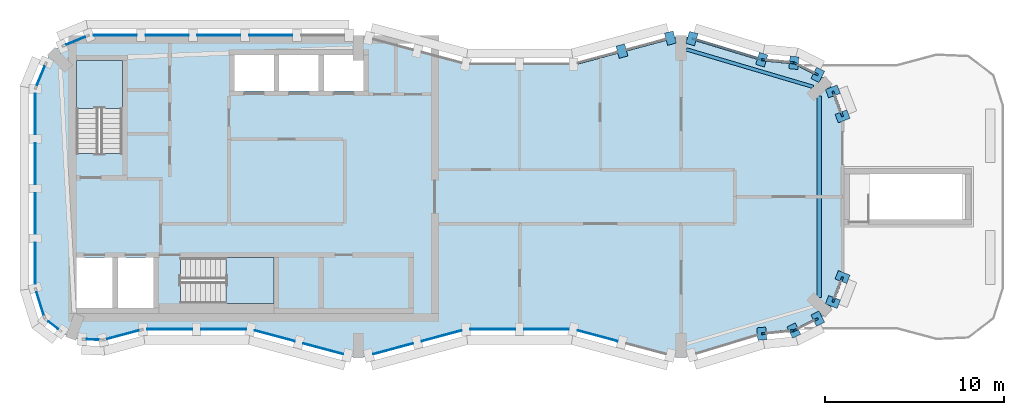
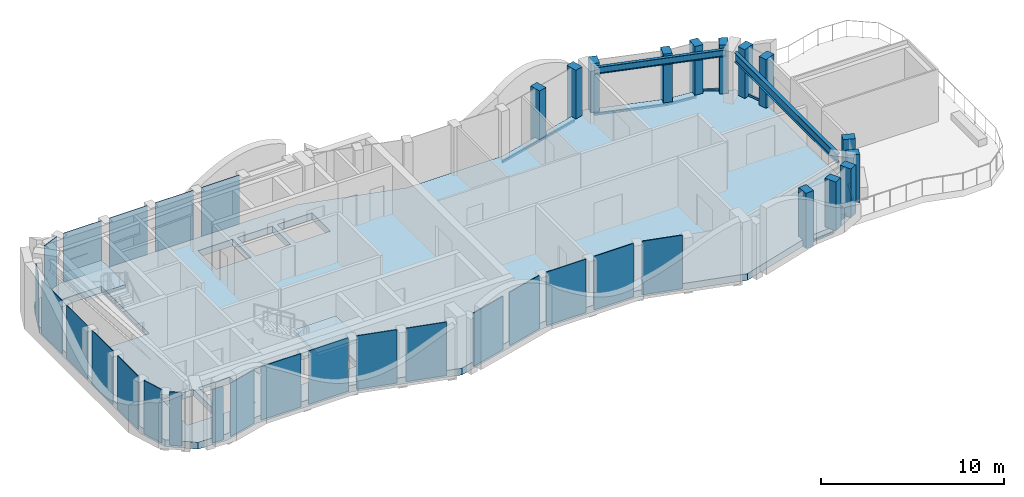
# One storey, part 2 of 9: 23 plates, 21 members, 3 slabs, 2 beams, 23 elements without a shape of their own.
"""IFC4 building model written with IfcOpenShell, lengths in metres."""

from ifc_helpers import new_model, si_unit, direction, frame, origin, origin_2d, place, context, subcontext, project, spatial, polyline, rectangle, i_section, outline, extrude, material, layer, layer_set, material_profile, profile_set, type_object, element, aggregate, save


model = new_model("IFC4")

# Units and contexts
model_context = context("Model", 3, precision=1e-05, world=origin(), true_north=direction((0.0, 1.0)))
body_context = subcontext(model_context, "Body", "Model", "MODEL_VIEW")
ifc_project = project(units=[si_unit("LENGTHUNIT", "METRE"), si_unit("AREAUNIT", "SQUARE_METRE"), si_unit("VOLUMEUNIT", "CUBIC_METRE"), si_unit("PLANEANGLEUNIT", "RADIAN"), si_unit("MASSUNIT", "GRAM", prefix="KILO")], contexts=[model_context])

# Site, building, storey
site_placement = place(None, origin())
site = spatial("IfcSite", under=ifc_project, at=site_placement, CompositionType="ELEMENT")
building_placement = place(site_placement, origin())
building = spatial("IfcBuilding", under=site, at=building_placement, Name="Plateau Cross Towers", CompositionType="ELEMENT")
storey_placement = place(building_placement, frame((0.0, 0.0, 287.89990234375)))
storey = spatial("IfcBuildingStorey", under=building, at=storey_placement, Name="L76 Crown 1", CompositionType="ELEMENT", Elevation=287.89990234375)

# Beams
ifc_material_1 = material(Name="Steel S355", Category="steel")
ifc_material_profile_1 = material_profile(ifc_material_1, i_section(OverallWidth=0.18994140625, OverallDepth=0.453369140625, WebThickness=0.008544921875, FlangeThickness=0.0126953125, FilletRadius=0.01025390625, at=origin_2d()), Name="UB 457x191x67")
ifc_profile_set_1 = profile_set([ifc_material_profile_1], Name="Steel S355")
beam_type_1 = type_object("IfcBeamType", Name="Crown ring beam UB 457x191x67", PredefinedType="BEAM", material=ifc_profile_set_1)
beam_1_placement = place(storey_placement, frame((43.366455078125, 15.122314453125, 3.0234375), z_axis=(-0.958969404993, 0.283509577064, 0.0), x_axis=(-0.283509577064, -0.958969404993, 0.0)))
element("IfcBeam", 1, at=beam_1_placement, inside=storey, type_object=beam_type_1, Name="CRB-L76 Crown 1-04", PredefinedType="BEAM", context=body_context, shape_type="SweptSolid", body=[
    extrude(i_section(OverallWidth=0.18994140625, OverallDepth=0.453369140625, WebThickness=0.008544921875, FlangeThickness=0.0126953125, FilletRadius=0.01025390625, at=origin_2d()), origin(), (0.0, 0.0, 1.0), 7.36865234375),
])
ifc_material_profile_2 = material_profile(ifc_material_1, i_section(OverallWidth=0.228271484375, OverallDepth=0.607666015625, WebThickness=0.010986328125, FlangeThickness=0.017333984375, FilletRadius=0.0126953125, at=origin_2d()), Name="UB 610x229x113")
ifc_profile_set_2 = profile_set([ifc_material_profile_2], Name="Steel S355")
beam_type_2 = type_object("IfcBeamType", Name="Crown ring beam UB 610x229x113", PredefinedType="BEAM", material=ifc_profile_set_2)
beam_2_placement = place(storey_placement, frame((43.703125, 3.38232421875, 2.9462890625), z_axis=(0.0, 1.0, 0.0), x_axis=(-1.0, 0.0, 0.0)))
element("IfcBeam", 2, at=beam_2_placement, inside=storey, type_object=beam_type_2, Name="CRB-L76 Crown 1-03", PredefinedType="BEAM", context=body_context, shape_type="SweptSolid", body=[
    extrude(i_section(OverallWidth=0.228271484375, OverallDepth=0.607666015625, WebThickness=0.010986328125, FlangeThickness=0.017333984375, FilletRadius=0.0126953125, at=origin_2d()), origin(), (0.0, 0.0, 1.0), 11.2353515625),
])

# Curtain wall, member
ifc_material_2 = material(Name="Dark low-iron glass", Category="glass")
ifc_layer_1 = layer(ifc_material_2, 0.800048828125)
ifc_layer_set_1 = layer_set([ifc_layer_1], Name="Dark low-iron glass")
curtain_wall_type = type_object("IfcCurtainWallType", Name="Curtain wall sky lounge CW-D", PredefinedType="NOTDEFINED", material=ifc_layer_set_1)
curtain_wall_1_placement = place(storey_placement, origin())
curtain_wall_1 = element("IfcCurtainWall", 3, at=curtain_wall_1_placement, inside=storey, type_object=curtain_wall_type, Name="ENV/A/L76 Crown 1/A405_14", PredefinedType="NOTDEFINED")
ifc_material_3 = material(Name="Black anodised aluminium", Category="aluminium")
ifc_material_profile_3 = material_profile(ifc_material_3, rectangle(XDim=0.5, YDim=0.699951171875, at=origin_2d()), Name="MULLION 500x700")
ifc_profile_set_3 = profile_set([ifc_material_profile_3], Name="Black anodised aluminium")
member_type_1 = type_object("IfcMemberType", Name="Mullion 500x700 sky lounge", PredefinedType="MULLION", material=ifc_profile_set_3)
member_1_placement = place(storey_placement, frame((40.5, 1.36328125, -0.449951171875), z_axis=(0.0, 0.0, 1.0), x_axis=(0.995322680406, 0.096606220658, 0.0)))
member_1 = element("IfcMember", 4, at=member_1_placement, type_object=member_type_1, Name="CW-D mullion 1", PredefinedType="MULLION", context=body_context, shape_type="SweptSolid", body=[
    extrude(rectangle(XDim=0.5, YDim=0.699951171875, at=origin_2d()), origin(), (0.0, 0.0, 1.0), 3.699951171875),
])

# Curtain wall, members
curtain_wall_2_placement = place(storey_placement, origin())
curtain_wall_2 = element("IfcCurtainWall", 5, at=curtain_wall_2_placement, inside=storey, type_object=curtain_wall_type, Name="ENV/A/L76 Crown 1/A423_15", PredefinedType="NOTDEFINED")
member_2_placement = place(storey_placement, frame((42.289794921875, 1.536865234375, 0.0), z_axis=(0.0, 0.0, 1.0), x_axis=(0.893702121293, 0.448660805505, 0.0)))
member_2 = element("IfcMember", 6, at=member_2_placement, type_object=member_type_1, Name="CW-D mullion 1", PredefinedType="MULLION", context=body_context, shape_type="SweptSolid", body=[
    extrude(rectangle(XDim=0.5, YDim=0.699951171875, at=origin_2d()), origin(), (0.0, 0.0, 1.0), 3.25),
])
member_3_placement = place(storey_placement, frame((43.623779296875, 2.20654296875, 0.0), z_axis=(0.0, 0.0, 1.0), x_axis=(0.893702121293, 0.448660805505, 0.0)))
member_3 = element("IfcMember", 7, at=member_3_placement, type_object=member_type_1, Name="CW-D mullion 2", PredefinedType="MULLION", context=body_context, shape_type="SweptSolid", body=[
    extrude(rectangle(XDim=0.5, YDim=0.699951171875, at=origin_2d()), origin(), (0.0, 0.0, 1.0), 3.25),
])

curtain_wall_3_placement = place(storey_placement, origin())
curtain_wall_3 = element("IfcCurtainWall", 8, at=curtain_wall_3_placement, inside=storey, type_object=curtain_wall_type, Name="ENV/A/L76 Crown 1/A445_31", PredefinedType="NOTDEFINED")
member_4_placement = place(storey_placement, frame((44.46240234375, 3.130615234375, 0.0), z_axis=(0.0, 0.0, 1.0), x_axis=(0.360225826244, 0.932865131789, 0.0)))
member_4 = element("IfcMember", 9, at=member_4_placement, type_object=member_type_1, Name="CW-D mullion 1", PredefinedType="MULLION", context=body_context, shape_type="SweptSolid", body=[
    extrude(rectangle(XDim=0.5, YDim=0.699951171875, at=origin_2d()), origin(), (0.0, 0.0, 1.0), 3.25),
])
member_5_placement = place(storey_placement, frame((45.0, 4.52294921875, 0.0), z_axis=(0.0, 0.0, 1.0), x_axis=(0.360225826244, 0.932865131789, 0.0)))
member_5 = element("IfcMember", 10, at=member_5_placement, type_object=member_type_1, Name="CW-D mullion 2", PredefinedType="MULLION", context=body_context, shape_type="SweptSolid", body=[
    extrude(rectangle(XDim=0.5, YDim=0.699951171875, at=origin_2d()), origin(), (0.0, 0.0, 1.0), 3.25),
])

curtain_wall_4_placement = place(storey_placement, origin())
curtain_wall_4 = element("IfcCurtainWall", 11, at=curtain_wall_4_placement, inside=storey, type_object=curtain_wall_type, Name="ENV/A/L76 Crown 1/A450_135", PredefinedType="NOTDEFINED")
member_6_placement = place(storey_placement, frame((45.0, 13.47705078125, 0.0), z_axis=(0.0, 0.0, 1.0), x_axis=(-0.360225826244, 0.932865131789, 0.0)))
member_6 = element("IfcMember", 12, at=member_6_placement, type_object=member_type_1, Name="CW-D mullion 1", PredefinedType="MULLION", context=body_context, shape_type="SweptSolid", body=[
    extrude(rectangle(XDim=0.5, YDim=0.699951171875, at=origin_2d()), origin(), (0.0, 0.0, 1.0), 3.25),
])
member_7_placement = place(storey_placement, frame((44.46240234375, 14.869384765625, 0.0), z_axis=(0.0, 0.0, 1.0), x_axis=(-0.360225826244, 0.932865131789, 0.0)))
member_7 = element("IfcMember", 13, at=member_7_placement, type_object=member_type_1, Name="CW-D mullion 2", PredefinedType="MULLION", context=body_context, shape_type="SweptSolid", body=[
    extrude(rectangle(XDim=0.5, YDim=0.699951171875, at=origin_2d()), origin(), (0.0, 0.0, 1.0), 3.25),
])

# Curtain wall, member
curtain_wall_5_placement = place(storey_placement, origin())
curtain_wall_5 = element("IfcCurtainWall", 14, at=curtain_wall_5_placement, inside=storey, type_object=curtain_wall_type, Name="ENV/A/L76 Crown 1/A436_158", PredefinedType="NOTDEFINED")
member_8_placement = place(storey_placement, frame((43.623779296875, 15.79345703125, 0.0), z_axis=(0.0, 0.0, 1.0), x_axis=(-0.893702121293, 0.448660805505, 0.0)))
member_8 = element("IfcMember", 15, at=member_8_placement, type_object=member_type_1, Name="CW-D mullion 1", PredefinedType="MULLION", context=body_context, shape_type="SweptSolid", body=[
    extrude(rectangle(XDim=0.5, YDim=0.699951171875, at=origin_2d()), origin(), (0.0, 0.0, 1.0), 3.25),
])

curtain_wall_6_placement = place(storey_placement, origin())
curtain_wall_6 = element("IfcCurtainWall", 16, at=curtain_wall_6_placement, inside=storey, type_object=curtain_wall_type, Name="ENV/A/L76 Crown 1/A423_165", PredefinedType="NOTDEFINED")
member_9_placement = place(storey_placement, frame((42.289794921875, 16.463134765625, -0.449951171875), z_axis=(0.0, 0.0, 1.0), x_axis=(-0.995322680406, 0.096606220658, 0.0)))
member_9 = element("IfcMember", 17, at=member_9_placement, type_object=member_type_1, Name="CW-D mullion 1", PredefinedType="MULLION", context=body_context, shape_type="SweptSolid", body=[
    extrude(rectangle(XDim=0.5, YDim=0.699951171875, at=origin_2d()), origin(), (0.0, 0.0, 1.0), 3.699951171875),
])

# Curtain wall, members
curtain_wall_7_placement = place(storey_placement, origin())
curtain_wall_7 = element("IfcCurtainWall", 18, at=curtain_wall_7_placement, inside=storey, type_object=curtain_wall_type, Name="ENV/A/L76 Crown 1/A405_166", PredefinedType="NOTDEFINED")
member_10_placement = place(storey_placement, frame((40.5, 16.63671875, -0.449951171875), z_axis=(0.0, 0.0, 1.0), x_axis=(-0.957048328724, 0.289928433386, 0.0)))
member_10 = element("IfcMember", 19, at=member_10_placement, type_object=member_type_1, Name="CW-D mullion 1", PredefinedType="MULLION", context=body_context, shape_type="SweptSolid", body=[
    extrude(rectangle(XDim=0.5, YDim=0.699951171875, at=origin_2d()), origin(), (0.0, 0.0, 1.0), 3.699951171875),
])
member_11_placement = place(storey_placement, frame((36.60546875, 17.816650390625, -0.449951171875), z_axis=(0.0, 0.0, 1.0), x_axis=(-0.957048328724, 0.289928433386, 0.0)))
member_11 = element("IfcMember", 20, at=member_11_placement, type_object=member_type_1, Name="CW-D mullion 2", PredefinedType="MULLION", context=body_context, shape_type="SweptSolid", body=[
    extrude(rectangle(XDim=0.5, YDim=0.699951171875, at=origin_2d()), origin(), (0.0, 0.0, 1.0), 3.699951171875),
])

curtain_wall_8_placement = place(storey_placement, origin())
curtain_wall_8 = element("IfcCurtainWall", 21, at=curtain_wall_8_placement, inside=storey, type_object=curtain_wall_type, Name="ENV/A/L76 Crown 1/A354_178", PredefinedType="NOTDEFINED")
member_12_placement = place(storey_placement, frame((35.403076171875, 17.840087890625, -0.449951171875), z_axis=(0.0, 0.0, 1.0), x_axis=(-0.965957983404, -0.258699003279, 0.0)))
member_12 = element("IfcMember", 22, at=member_12_placement, type_object=member_type_1, Name="CW-D mullion 1", PredefinedType="MULLION", context=body_context, shape_type="SweptSolid", body=[
    extrude(rectangle(XDim=0.5, YDim=0.699951171875, at=origin_2d()), origin(), (0.0, 0.0, 1.0), 3.699951171875),
])
member_13_placement = place(storey_placement, frame((32.70166015625, 17.11669921875, -0.449951171875), z_axis=(0.0, 0.0, 1.0), x_axis=(-0.965957983404, -0.258699003279, 0.0)))
member_13 = element("IfcMember", 23, at=member_13_placement, type_object=member_type_1, Name="CW-D mullion 2", PredefinedType="MULLION", context=body_context, shape_type="SweptSolid", body=[
    extrude(rectangle(XDim=0.5, YDim=0.699951171875, at=origin_2d()), origin(), (0.0, 0.0, 1.0), 3.699951171875),
])

# Member
ifc_material_profile_4 = material_profile(ifc_material_3, rectangle(XDim=0.10009765625, YDim=0.139892578125, at=origin_2d()), Name="TRANSOM 100x140")
ifc_profile_set_4 = profile_set([ifc_material_profile_4], Name="Black anodised aluminium")
member_type_2 = type_object("IfcMemberType", Name="Transom 100x140 sky lounge", PredefinedType="USERDEFINED", material=ifc_profile_set_4)
member_14_placement = place(storey_placement, frame((40.5, 1.36328125, -0.3798828125), z_axis=(0.995329836219, 0.096532466724, 0.0), x_axis=(-0.096532466724, 0.995329836219, 0.0)))
member_14 = element("IfcMember", 24, at=member_14_placement, type_object=member_type_2, Name="CW-D transom", ObjectType="TRANSOM", PredefinedType="USERDEFINED", context=body_context, shape_type="SweptSolid", body=[
    extrude(rectangle(XDim=0.10009765625, YDim=0.139892578125, at=origin_2d()), origin(), (0.0, 0.0, 1.0), 1.798095703125),
])

aggregate(curtain_wall_1, [member_1, member_14])

member_15_placement = place(storey_placement, frame((42.289794921875, 1.536865234375, 0.070068359375), z_axis=(0.893706357175, 0.448652367813, 0.0), x_axis=(-0.448652367813, 0.893706357175, 0.0)))
member_15 = element("IfcMember", 25, at=member_15_placement, type_object=member_type_2, Name="CW-D transom", ObjectType="TRANSOM", PredefinedType="USERDEFINED", context=body_context, shape_type="SweptSolid", body=[
    extrude(rectangle(XDim=0.10009765625, YDim=0.139892578125, at=origin_2d()), origin(), (0.0, 0.0, 1.0), 1.49267578125),
])

aggregate(curtain_wall_2, [member_2, member_3, member_15])

member_16_placement = place(storey_placement, frame((44.46240234375, 3.130615234375, 0.070068359375), z_axis=(0.360195479998, 0.932876849423, 0.0), x_axis=(-0.932876849423, 0.360195479998, 0.0)))
member_16 = element("IfcMember", 26, at=member_16_placement, type_object=member_type_2, Name="CW-D transom", ObjectType="TRANSOM", PredefinedType="USERDEFINED", context=body_context, shape_type="SweptSolid", body=[
    extrude(rectangle(XDim=0.10009765625, YDim=0.139892578125, at=origin_2d()), origin(), (0.0, 0.0, 1.0), 1.492431640625),
])

aggregate(curtain_wall_3, [member_4, member_5, member_16])

member_17_placement = place(storey_placement, frame((45.0, 13.47705078125, 0.070068359375), z_axis=(-0.360195479998, 0.932876849423, 0.0), x_axis=(-0.932876849423, -0.360195479998, 0.0)))
member_17 = element("IfcMember", 27, at=member_17_placement, type_object=member_type_2, Name="CW-D transom", ObjectType="TRANSOM", PredefinedType="USERDEFINED", context=body_context, shape_type="SweptSolid", body=[
    extrude(rectangle(XDim=0.10009765625, YDim=0.139892578125, at=origin_2d()), origin(), (0.0, 0.0, 1.0), 1.492431640625),
])

aggregate(curtain_wall_4, [member_6, member_7, member_17])

member_18_placement = place(storey_placement, frame((43.623779296875, 15.79345703125, 0.070068359375), z_axis=(-0.893706357175, 0.448652367813, 0.0), x_axis=(-0.448652367813, -0.893706357175, 0.0)))
member_18 = element("IfcMember", 28, at=member_18_placement, type_object=member_type_2, Name="CW-D transom", ObjectType="TRANSOM", PredefinedType="USERDEFINED", context=body_context, shape_type="SweptSolid", body=[
    extrude(rectangle(XDim=0.10009765625, YDim=0.139892578125, at=origin_2d()), origin(), (0.0, 0.0, 1.0), 1.49267578125),
])

aggregate(curtain_wall_5, [member_8, member_18])

member_19_placement = place(storey_placement, frame((42.289794921875, 16.463134765625, -0.3798828125), z_axis=(-0.995329836219, 0.096532466724, 0.0), x_axis=(-0.096532466724, -0.995329836219, 0.0)))
member_19 = element("IfcMember", 29, at=member_19_placement, type_object=member_type_2, Name="CW-D transom", ObjectType="TRANSOM", PredefinedType="USERDEFINED", context=body_context, shape_type="SweptSolid", body=[
    extrude(rectangle(XDim=0.10009765625, YDim=0.139892578125, at=origin_2d()), origin(), (0.0, 0.0, 1.0), 1.798095703125),
])

aggregate(curtain_wall_6, [member_9, member_19])

member_20_placement = place(storey_placement, frame((40.5, 16.63671875, -0.3798828125), z_axis=(-0.957040045132, 0.289955775961, 0.0), x_axis=(-0.289955775961, -0.957040045132, 0.0)))
member_20 = element("IfcMember", 30, at=member_20_placement, type_object=member_type_2, Name="CW-D transom", ObjectType="TRANSOM", PredefinedType="USERDEFINED", context=body_context, shape_type="SweptSolid", body=[
    extrude(rectangle(XDim=0.10009765625, YDim=0.139892578125, at=origin_2d()), origin(), (0.0, 0.0, 1.0), 4.0693359375),
])

aggregate(curtain_wall_7, [member_10, member_11, member_20])

member_21_placement = place(storey_placement, frame((35.403076171875, 17.840087890625, -0.3798828125), z_axis=(-0.965958374924, -0.258697541375, 0.0), x_axis=(0.258697541375, -0.965958374924, 0.0)))
member_21 = element("IfcMember", 31, at=member_21_placement, type_object=member_type_2, Name="CW-D transom", ObjectType="TRANSOM", PredefinedType="USERDEFINED", context=body_context, shape_type="SweptSolid", body=[
    extrude(rectangle(XDim=0.10009765625, YDim=0.139892578125, at=origin_2d()), origin(), (0.0, 0.0, 1.0), 5.593505859375),
])

aggregate(curtain_wall_8, [member_12, member_13, member_21])

# Curtain wall, plate
curtain_wall_9_placement = place(storey_placement, origin())
curtain_wall_9 = element("IfcCurtainWall", 32, at=curtain_wall_9_placement, inside=storey, type_object=curtain_wall_type, Name="ENV/A/L76 Crown 1/A38_10", PredefinedType="NOTDEFINED")
ifc_layer_2 = layer(ifc_material_2, 0.0400390625)
ifc_layer_set_2 = layer_set([ifc_layer_2], Name="Dark low-iron glass")
plate_type = type_object("IfcPlateType", Name="Glass panel 40 sky lounge", PredefinedType="CURTAIN_PANEL", material=ifc_layer_set_2)
plate_1_placement = place(storey_placement, frame((4.887939453125, 1.30908203125, -0.309814453125), z_axis=(0.0, 0.0, 1.0), x_axis=(0.965957962328, 0.258699081978, 0.0)))
plate_1 = element("IfcPlate", 33, at=plate_1_placement, type_object=plate_type, Name="CW-D panel 1", PredefinedType="CURTAIN_PANEL", context=body_context, shape_type="SweptSolid", body=[
    extrude(rectangle(XDim=1.80224609375, YDim=0.0400390625, at=origin_2d()), origin(), (0.0, 0.0, 1.0), 3.56005859375),
])
aggregate(curtain_wall_9, [plate_1])

# Curtain wall, plates
curtain_wall_10_placement = place(storey_placement, origin())
curtain_wall_10 = element("IfcCurtainWall", 34, at=curtain_wall_10_placement, inside=storey, type_object=curtain_wall_type, Name="ENV/A/L76 Crown 1/A60_16", PredefinedType="NOTDEFINED")
plate_2_placement = place(storey_placement, frame((7.5, 1.60693359375, -0.309814453125), z_axis=(0.0, 0.0, 1.0), x_axis=(1.0, 0.0, 0.0)))
plate_2 = element("IfcPlate", 35, at=plate_2_placement, type_object=plate_type, Name="CW-D panel 1", PredefinedType="CURTAIN_PANEL", context=body_context, shape_type="SweptSolid", body=[
    extrude(rectangle(XDim=2.5, YDim=0.0400390625, at=origin_2d()), origin(), (0.0, 0.0, 1.0), 3.56005859375),
])
plate_3_placement = place(storey_placement, frame((10.5, 1.60693359375, -0.309814453125), z_axis=(0.0, 0.0, 1.0), x_axis=(1.0, 0.0, 0.0)))
plate_3 = element("IfcPlate", 36, at=plate_3_placement, type_object=plate_type, Name="CW-D panel 2", PredefinedType="CURTAIN_PANEL", context=body_context, shape_type="SweptSolid", body=[
    extrude(rectangle(XDim=2.5, YDim=0.0400390625, at=origin_2d()), origin(), (0.0, 0.0, 1.0), 3.56005859375),
])
aggregate(curtain_wall_10, [plate_2, plate_3])

curtain_wall_11_placement = place(storey_placement, origin())
curtain_wall_11 = element("IfcCurtainWall", 37, at=curtain_wall_11_placement, inside=storey, type_object=curtain_wall_type, Name="ENV/A/L76 Crown 1/A120_16", PredefinedType="NOTDEFINED")
plate_4_placement = place(storey_placement, frame((13.350830078125, 1.2451171875, -0.309814453125), z_axis=(0.0, 0.0, 1.0), x_axis=(0.965957983404, -0.258699003279, 0.0)))
plate_4 = element("IfcPlate", 38, at=plate_4_placement, type_object=plate_type, Name="CW-D panel 1", PredefinedType="CURTAIN_PANEL", context=body_context, shape_type="SweptSolid", body=[
    extrude(rectangle(XDim=2.296875, YDim=0.0400390625, at=origin_2d()), origin(), (0.0, 0.0, 1.0), 3.56005859375),
])
plate_5_placement = place(storey_placement, frame((16.05224609375, 0.521728515625, -0.309814453125), z_axis=(0.0, 0.0, 1.0), x_axis=(0.965957983404, -0.258699003279, 0.0)))
plate_5 = element("IfcPlate", 39, at=plate_5_placement, type_object=plate_type, Name="CW-D panel 2", PredefinedType="CURTAIN_PANEL", context=body_context, shape_type="SweptSolid", body=[
    extrude(rectangle(XDim=2.296875, YDim=0.0400390625, at=origin_2d()), origin(), (0.0, 0.0, 1.0), 3.56005859375),
])
aggregate(curtain_wall_11, [plate_4, plate_5])

curtain_wall_12_placement = place(storey_placement, origin())
curtain_wall_12 = element("IfcCurtainWall", 40, at=curtain_wall_12_placement, inside=storey, type_object=curtain_wall_type, Name="ENV/A/L76 Crown 1/A186_2", PredefinedType="NOTDEFINED")
plate_6_placement = place(storey_placement, frame((19.94775390625, 0.521728515625, -0.309814453125), z_axis=(0.0, 0.0, 1.0), x_axis=(0.965957983404, 0.258699003279, 0.0)))
plate_6 = element("IfcPlate", 41, at=plate_6_placement, type_object=plate_type, Name="CW-D panel 1", PredefinedType="CURTAIN_PANEL", context=body_context, shape_type="SweptSolid", body=[
    extrude(rectangle(XDim=2.296875, YDim=0.0400390625, at=origin_2d()), origin(), (0.0, 0.0, 1.0), 3.56005859375),
])
plate_7_placement = place(storey_placement, frame((22.649169921875, 1.2451171875, -0.309814453125), z_axis=(0.0, 0.0, 1.0), x_axis=(0.965957983404, 0.258699003279, 0.0)))
plate_7 = element("IfcPlate", 42, at=plate_7_placement, type_object=plate_type, Name="CW-D panel 2", PredefinedType="CURTAIN_PANEL", context=body_context, shape_type="SweptSolid", body=[
    extrude(rectangle(XDim=2.296875, YDim=0.0400390625, at=origin_2d()), origin(), (0.0, 0.0, 1.0), 3.56005859375),
])
aggregate(curtain_wall_12, [plate_6, plate_7])

curtain_wall_13_placement = place(storey_placement, origin())
curtain_wall_13 = element("IfcCurtainWall", 43, at=curtain_wall_13_placement, inside=storey, type_object=curtain_wall_type, Name="ENV/A/L76 Crown 1/A240_16", PredefinedType="NOTDEFINED")
plate_8_placement = place(storey_placement, frame((25.5, 1.60693359375, -0.309814453125), z_axis=(0.0, 0.0, 1.0), x_axis=(1.0, 0.0, 0.0)))
plate_8 = element("IfcPlate", 44, at=plate_8_placement, type_object=plate_type, Name="CW-D panel 1", PredefinedType="CURTAIN_PANEL", context=body_context, shape_type="SweptSolid", body=[
    extrude(rectangle(XDim=2.5, YDim=0.0400390625, at=origin_2d()), origin(), (0.0, 0.0, 1.0), 3.56005859375),
])
plate_9_placement = place(storey_placement, frame((28.5, 1.60693359375, -0.309814453125), z_axis=(0.0, 0.0, 1.0), x_axis=(1.0, 0.0, 0.0)))
plate_9 = element("IfcPlate", 45, at=plate_9_placement, type_object=plate_type, Name="CW-D panel 2", PredefinedType="CURTAIN_PANEL", context=body_context, shape_type="SweptSolid", body=[
    extrude(rectangle(XDim=2.5, YDim=0.0400390625, at=origin_2d()), origin(), (0.0, 0.0, 1.0), 3.56005859375),
])
aggregate(curtain_wall_13, [plate_8, plate_9])

# Curtain wall, plate
curtain_wall_14_placement = place(storey_placement, origin())
curtain_wall_14 = element("IfcCurtainWall", 46, at=curtain_wall_14_placement, inside=storey, type_object=curtain_wall_type, Name="ENV/A/L76 Crown 1/A300_16", PredefinedType="NOTDEFINED")
plate_10_placement = place(storey_placement, frame((31.350830078125, 1.2451171875, -0.309814453125), z_axis=(0.0, 0.0, 1.0), x_axis=(0.965957983404, -0.258699003279, 0.0)))
plate_10 = element("IfcPlate", 47, at=plate_10_placement, type_object=plate_type, Name="CW-D panel 1", PredefinedType="CURTAIN_PANEL", context=body_context, shape_type="SweptSolid", body=[
    extrude(rectangle(XDim=2.296875, YDim=0.0400390625, at=origin_2d()), origin(), (0.0, 0.0, 1.0), 3.56005859375),
])
aggregate(curtain_wall_14, [plate_10])

# Curtain wall, plates
curtain_wall_15_placement = place(storey_placement, origin())
curtain_wall_15 = element("IfcCurtainWall", 48, at=curtain_wall_15_placement, inside=storey, type_object=curtain_wall_type, Name="ENV/A/L76 Crown 1/A175_180", PredefinedType="NOTDEFINED")
plate_11_placement = place(storey_placement, frame((13.139404296875, 18.0, -0.309814453125), z_axis=(0.0, 0.0, 1.0), x_axis=(-1.0, 0.0, 0.0)))
plate_11 = element("IfcPlate", 49, at=plate_11_placement, type_object=plate_type, Name="CW-D panel 2", PredefinedType="CURTAIN_PANEL", context=body_context, shape_type="SweptSolid", body=[
    extrude(rectangle(XDim=2.39697265625, YDim=0.0400390625, at=origin_2d()), origin(), (0.0, 0.0, 1.0), 3.56005859375),
])
plate_12_placement = place(storey_placement, frame((10.242431640625, 18.0, -0.309814453125), z_axis=(0.0, 0.0, 1.0), x_axis=(-1.0, 0.0, 0.0)))
plate_12 = element("IfcPlate", 50, at=plate_12_placement, type_object=plate_type, Name="CW-D panel 3", PredefinedType="CURTAIN_PANEL", context=body_context, shape_type="SweptSolid", body=[
    extrude(rectangle(XDim=2.39697265625, YDim=0.0400390625, at=origin_2d()), origin(), (0.0, 0.0, 1.0), 3.56005859375),
])
plate_13_placement = place(storey_placement, frame((7.345458984375, 18.0, -0.309814453125), z_axis=(0.0, 0.0, 1.0), x_axis=(-1.0, 0.0, 0.0)))
plate_13 = element("IfcPlate", 51, at=plate_13_placement, type_object=plate_type, Name="CW-D panel 4", PredefinedType="CURTAIN_PANEL", context=body_context, shape_type="SweptSolid", body=[
    extrude(rectangle(XDim=2.39697265625, YDim=0.0400390625, at=origin_2d()), origin(), (0.0, 0.0, 1.0), 3.56005859375),
])
plate_14_placement = place(storey_placement, frame((4.448486328125, 18.0, -0.309814453125), z_axis=(0.0, 0.0, 1.0), x_axis=(-1.0, 0.0, 0.0)))
plate_14 = element("IfcPlate", 52, at=plate_14_placement, type_object=plate_type, Name="CW-D panel 5", PredefinedType="CURTAIN_PANEL", context=body_context, shape_type="SweptSolid", body=[
    extrude(rectangle(XDim=2.39697265625, YDim=0.0400390625, at=origin_2d()), origin(), (0.0, 0.0, 1.0), 3.56005859375),
])
aggregate(curtain_wall_15, [plate_11, plate_12, plate_13, plate_14])

# Curtain wall, plate
curtain_wall_16_placement = place(storey_placement, origin())
curtain_wall_16 = element("IfcCurtainWall", 53, at=curtain_wall_16_placement, inside=storey, type_object=curtain_wall_type, Name="ENV/A/L76 Crown 1/A30_180", PredefinedType="NOTDEFINED")
plate_15_placement = place(storey_placement, frame((2.254150390625, 17.69091796875, -0.309814453125), z_axis=(0.0, 0.0, 1.0), x_axis=(-0.923879457699, -0.382683612978, 0.0)))
plate_15 = element("IfcPlate", 54, at=plate_15_placement, type_object=plate_type, Name="CW-D panel 1", PredefinedType="CURTAIN_PANEL", context=body_context, shape_type="SweptSolid", body=[
    extrude(rectangle(XDim=1.11474609375, YDim=0.0400390625, at=origin_2d()), origin(), (0.0, 0.0, 1.0), 3.56005859375),
])
aggregate(curtain_wall_16, [plate_15])

curtain_wall_17_placement = place(storey_placement, origin())
curtain_wall_17 = element("IfcCurtainWall", 55, at=curtain_wall_17_placement, inside=storey, type_object=curtain_wall_type, Name="ENV/A/L76 Crown 1/A6_165", PredefinedType="NOTDEFINED")
plate_16_placement = place(storey_placement, frame((0.30908203125, 15.745849609375, -0.309814453125), z_axis=(0.0, 0.0, 1.0), x_axis=(-0.382683612978, -0.923879457699, 0.0)))
plate_16 = element("IfcPlate", 56, at=plate_16_placement, type_object=plate_type, Name="CW-D panel 1", PredefinedType="CURTAIN_PANEL", context=body_context, shape_type="SweptSolid", body=[
    extrude(rectangle(XDim=1.11474609375, YDim=0.0400390625, at=origin_2d()), origin(), (0.0, 0.0, 1.0), 3.56005859375),
])
aggregate(curtain_wall_17, [plate_16])

# Curtain wall, plates
curtain_wall_18_placement = place(storey_placement, origin())
curtain_wall_18 = element("IfcCurtainWall", 57, at=curtain_wall_18_placement, inside=storey, type_object=curtain_wall_type, Name="ENV/A/L76 Crown 1/A0_150", PredefinedType="NOTDEFINED")
plate_17_placement = place(storey_placement, frame((0.0, 13.613525390625, -0.309814453125), z_axis=(0.0, 0.0, 1.0), x_axis=(0.0, -1.0, 0.0)))
plate_17 = element("IfcPlate", 58, at=plate_17_placement, type_object=plate_type, Name="CW-D panel 1", PredefinedType="CURTAIN_PANEL", context=body_context, shape_type="SweptSolid", body=[
    extrude(rectangle(XDim=2.272705078125, YDim=0.0400390625, at=origin_2d()), origin(), (0.0, 0.0, 1.0), 3.56005859375),
])
plate_18_placement = place(storey_placement, frame((0.0, 10.8408203125, -0.309814453125), z_axis=(0.0, 0.0, 1.0), x_axis=(0.0, -1.0, 0.0)))
plate_18 = element("IfcPlate", 59, at=plate_18_placement, type_object=plate_type, Name="CW-D panel 2", PredefinedType="CURTAIN_PANEL", context=body_context, shape_type="SweptSolid", body=[
    extrude(rectangle(XDim=2.272705078125, YDim=0.0400390625, at=origin_2d()), origin(), (0.0, 0.0, 1.0), 3.56005859375),
])
plate_19_placement = place(storey_placement, frame((0.0, 8.068115234375, -0.309814453125), z_axis=(0.0, 0.0, 1.0), x_axis=(0.0, -1.0, 0.0)))
plate_19 = element("IfcPlate", 60, at=plate_19_placement, type_object=plate_type, Name="CW-D panel 3", PredefinedType="CURTAIN_PANEL", context=body_context, shape_type="SweptSolid", body=[
    extrude(rectangle(XDim=2.272705078125, YDim=0.0400390625, at=origin_2d()), origin(), (0.0, 0.0, 1.0), 3.56005859375),
])
plate_20_placement = place(storey_placement, frame((0.0, 5.29541015625, -0.309814453125), z_axis=(0.0, 0.0, 1.0), x_axis=(0.0, -1.0, 0.0)))
plate_20 = element("IfcPlate", 61, at=plate_20_placement, type_object=plate_type, Name="CW-D panel 4", PredefinedType="CURTAIN_PANEL", context=body_context, shape_type="SweptSolid", body=[
    extrude(rectangle(XDim=2.272705078125, YDim=0.0400390625, at=origin_2d()), origin(), (0.0, 0.0, 1.0), 3.56005859375),
])
aggregate(curtain_wall_18, [plate_17, plate_18, plate_19, plate_20])

# Curtain wall, plate
curtain_wall_19_placement = place(storey_placement, origin())
curtain_wall_19 = element("IfcCurtainWall", 62, at=curtain_wall_19_placement, inside=storey, type_object=curtain_wall_type, Name="ENV/A/L76 Crown 1/A0_39", PredefinedType="NOTDEFINED")
plate_21_placement = place(storey_placement, frame((0.271240234375, 3.048828125, -0.309814453125), z_axis=(0.0, 0.0, 1.0), x_axis=(0.300686174994, -0.95372313811, 0.0)))
plate_21 = element("IfcPlate", 63, at=plate_21_placement, type_object=plate_type, Name="CW-D panel 1", PredefinedType="CURTAIN_PANEL", context=body_context, shape_type="SweptSolid", body=[
    extrude(rectangle(XDim=1.30419921875, YDim=0.0400390625, at=origin_2d()), origin(), (0.0, 0.0, 1.0), 3.56005859375),
])
aggregate(curtain_wall_19, [plate_21])

curtain_wall_20_placement = place(storey_placement, origin())
curtain_wall_20 = element("IfcCurtainWall", 64, at=curtain_wall_20_placement, inside=storey, type_object=curtain_wall_type, Name="ENV/A/L76 Crown 1/A5_22", PredefinedType="NOTDEFINED")
plate_22_placement = place(storey_placement, frame((1.005126953125, 1.83349609375, -0.309814453125), z_axis=(0.0, 0.0, 1.0), x_axis=(0.793315514529, -0.608810721331, 0.0)))
plate_22 = element("IfcPlate", 65, at=plate_22_placement, type_object=plate_type, Name="CW-D panel 1", PredefinedType="CURTAIN_PANEL", context=body_context, shape_type="SweptSolid", body=[
    extrude(rectangle(XDim=0.666259765625, YDim=0.0400390625, at=origin_2d()), origin(), (0.0, 0.0, 1.0), 3.56005859375),
])
aggregate(curtain_wall_20, [plate_22])

curtain_wall_21_placement = place(storey_placement, origin())
curtain_wall_21 = element("IfcCurtainWall", 66, at=curtain_wall_21_placement, inside=storey, type_object=curtain_wall_type, Name="ENV/A/L76 Crown 1/A26_11", PredefinedType="NOTDEFINED")
plate_23_placement = place(storey_placement, frame((3.193603515625, 1.036865234375, -0.309814453125), z_axis=(0.0, 0.0, 1.0), x_axis=(0.999043701491, -0.043722791671, 0.0)))
plate_23 = element("IfcPlate", 67, at=plate_23_placement, type_object=plate_type, Name="CW-D panel 1", PredefinedType="CURTAIN_PANEL", context=body_context, shape_type="SweptSolid", body=[
    extrude(rectangle(XDim=0.666259765625, YDim=0.0400390625, at=origin_2d()), origin(), (0.0, 0.0, 1.0), 3.56005859375),
])
aggregate(curtain_wall_21, [plate_23])

# Slab
ifc_material_4 = material(Name="Concrete C40/50", Category="concrete")
ifc_layer_3 = layer(ifc_material_4, 0.449951171875)
ifc_layer_set_3 = layer_set([ifc_layer_3], Name="Concrete C40/50")
slab_type_1 = type_object("IfcSlabType", Name="Post-tensioned flat plate slab 450", PredefinedType="FLOOR", material=ifc_layer_set_3)
slab_1_placement = place(storey_placement, frame((0.0, 0.0, -0.449951171875)))
element("IfcSlab", 68, at=slab_1_placement, inside=storey, type_object=slab_type_1, Name="SL-A-L76 Crown 1", PredefinedType="FLOOR", context=body_context, shape_type="SweptSolid", body=[
    extrude(outline(polyline([(1.9736328125, 1.090087890625), (0.54248046875, 2.1884765625), (0.0, 3.9091796875), (0.0, 15.0), (0.878662109375, 17.121337890625), (3.0, 18.0), (18.0, 18.0), (24.0, 16.39306640625), (30.0, 16.39306640625), (36.0, 18.0), (40.5, 16.63671875), (42.289794921875, 16.463134765625), (44.221435546875, 15.493408203125), (45.0, 13.47705078125), (45.0, 4.52294921875), (44.221435546875, 2.506591796875), (42.289794921875, 1.536865234375), (40.5, 1.36328125), (36.0, 0.0), (30.0, 1.60693359375), (24.0, 1.60693359375), (18.0, 0.0), (12.0, 1.60693359375), (6.0, 1.60693359375), (3.776123046875, 1.01123046875), (1.9736328125, 1.090087890625)]), holes=[polyline([(4.300048828125, 5.60009765625), (2.300048828125, 5.60009765625), (2.300048828125, 2.800048828125), (4.300048828125, 2.800048828125), (4.300048828125, 5.60009765625)]), polyline([(6.60009765625, 5.60009765625), (4.60009765625, 5.60009765625), (4.60009765625, 2.800048828125), (6.60009765625, 2.800048828125), (6.60009765625, 5.60009765625)]), polyline([(13.300048828125, 5.60009765625), (8.10009765625, 5.60009765625), (8.10009765625, 3.050048828125), (13.300048828125, 3.050048828125), (13.300048828125, 5.60009765625)]), polyline([(2.300048828125, 16.60009765625), (2.300048828125, 11.39990234375), (4.85009765625, 11.39990234375), (4.85009765625, 16.60009765625), (2.300048828125, 16.60009765625)]), polyline([(13.300048828125, 16.89990234375), (11.10009765625, 16.89990234375), (11.10009765625, 14.89990234375), (13.300048828125, 14.89990234375), (13.300048828125, 16.89990234375)]), polyline([(15.800048828125, 16.89990234375), (13.60009765625, 16.89990234375), (13.60009765625, 14.89990234375), (15.800048828125, 14.89990234375), (15.800048828125, 16.89990234375)]), polyline([(18.300048828125, 16.89990234375), (16.10009765625, 16.89990234375), (16.10009765625, 14.89990234375), (18.300048828125, 14.89990234375), (18.300048828125, 16.89990234375)])]), origin(), (0.0, 0.0, 1.0), 0.449951171875),
])

# Stair, slab
stair_type = type_object("IfcStairType", Name="ST-TWR", PredefinedType="HALF_TURN_STAIR", material=ifc_material_4)
stair_1_placement = place(storey_placement, origin())
stair_1 = element("IfcStair", 69, at=stair_1_placement, inside=storey, type_object=stair_type, Name="L76 Crown 1 Protected Exit Stair ST-1", PredefinedType="HALF_TURN_STAIR")
ifc_layer_4 = layer(ifc_material_4, 0.199951171875)
ifc_layer_set_4 = layer_set([ifc_layer_4], Name="Concrete C40/50")
slab_type_2 = type_object("IfcSlabType", Name="SL-LANDING", PredefinedType="LANDING", material=ifc_layer_set_4)
slab_2_placement = place(storey_placement, frame((0.0, 0.0, 1.550048828125)))
slab_2 = element("IfcSlab", 70, at=slab_2_placement, type_object=slab_type_2, Name="ST-1 landing 1", PredefinedType="LANDING", context=body_context, shape_type="SweptSolid", body=[
    extrude(outline(polyline([(4.85009765625, 13.919921875), (4.85009765625, 16.60009765625), (2.300048828125, 16.60009765625), (2.300048828125, 13.919921875), (4.85009765625, 13.919921875)])), origin(), (0.0, 0.0, 1.0), 0.199951171875),
])
aggregate(stair_1, [slab_2])

stair_2_placement = place(storey_placement, origin())
stair_2 = element("IfcStair", 71, at=stair_2_placement, inside=storey, type_object=stair_type, Name="L76 Crown 1 Protected Exit Stair ST-2", PredefinedType="HALF_TURN_STAIR")
slab_3_placement = place(storey_placement, frame((0.0, 0.0, 1.550048828125)))
slab_3 = element("IfcSlab", 72, at=slab_3_placement, type_object=slab_type_2, Name="ST-2 landing 1", PredefinedType="LANDING", context=body_context, shape_type="SweptSolid", body=[
    extrude(outline(polyline([(10.6201171875, 3.050048828125), (13.300048828125, 3.050048828125), (13.300048828125, 5.60009765625), (10.6201171875, 5.60009765625), (10.6201171875, 3.050048828125)])), origin(), (0.0, 0.0, 1.0), 0.199951171875),
])
aggregate(stair_2, [slab_3])

save(model, "model.ifc")
